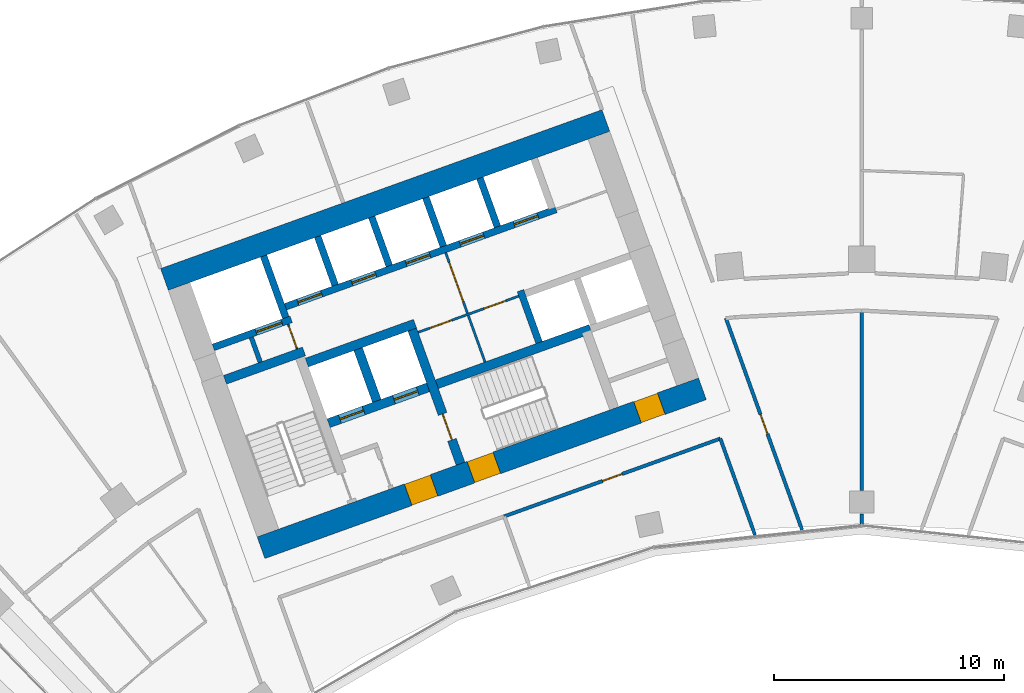
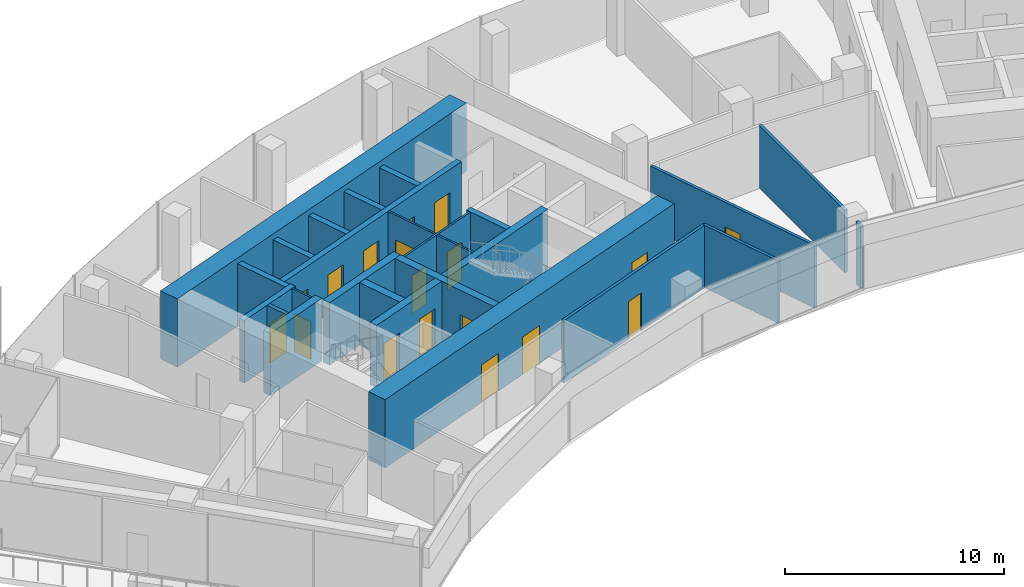
# One storey, part 13 of 20: 24 walls, 18 doors, 18 openings.
"""IFC4 building model written with IfcOpenShell, lengths in metres."""

import ifcopenshell
import ifcopenshell.guid

model = None  # the IFC model being written
_history = None  # IfcOwnerHistory: only IFC2X3 demands one
_inside = {}  # id of a spatial element -> (the spatial element, [elements in it])
_under = {}  # id of a project, library or spatial element -> (it, [spatial elements below it])
_declared = {}  # id of a project -> (the project, [libraries it declares])
_typed = {}  # id of a type object -> (the type object, [elements of that type])
_made_of = {}  # id of a material, layer set ... -> (it, [elements and type objects made of it])


def new_model(schema):
    """Start an empty IFC model of exactly this schema.

    Asked for "IFC4X3", IfcOpenShell would pick the latest addendum, in which some entities
    have other attributes; the version numbers below select the first issue.
    IFC2X3 requires an IfcOwnerHistory on every rooted entity: one is made here for all.
    """
    global model, _history
    if schema == "IFC4X3":
        model = ifcopenshell.file(schema_version=(4, 3, 0, 0))
    else:
        model = ifcopenshell.file(schema=schema)
    _inside.clear()
    _under.clear()
    _declared.clear()
    _typed.clear()
    _made_of.clear()
    _history = None
    if model.schema == "IFC2X3":
        org = make("IfcOrganization", Name="unknown")
        user = make(
            "IfcPersonAndOrganization",
            ThePerson=make("IfcPerson", FamilyName="unknown"),
            TheOrganization=org,
        )
        app = make(
            "IfcApplication",
            ApplicationDeveloper=org,
            Version="unknown",
            ApplicationFullName="unknown",
            ApplicationIdentifier="unknown",
        )
        _history = make(
            "IfcOwnerHistory",
            OwningUser=user,
            OwningApplication=app,
            ChangeAction="ADDED",
            CreationDate=0,
        )
    return model


def make(cls, **values):
    """One entity of the class cls with the attributes given. An attribute that is None is left unset."""
    return model.create_entity(
        cls, **{name: value for name, value in values.items() if value is not None}
    )


def rooted(cls, **values):
    """An entity with a GlobalId (a new one), such as an element, a storey or a relation."""
    return make(cls, GlobalId=ifcopenshell.guid.new(), OwnerHistory=_history, **values)


def si_unit(unit_type, name, prefix=None):
    """IfcSIUnit, for example si_unit("LENGTHUNIT", "METRE", prefix="MILLI")."""
    return make("IfcSIUnit", UnitType=unit_type, Prefix=prefix, Name=name)


def assignment(units):
    """IfcUnitAssignment: the units of a project."""
    return None if units is None else make("IfcUnitAssignment", Units=units)


def point(xyz):
    """IfcCartesianPoint."""
    return None if xyz is None else make("IfcCartesianPoint", Coordinates=xyz)


def direction(xyz):
    """IfcDirection."""
    return None if xyz is None else make("IfcDirection", DirectionRatios=xyz)


def frame(location, z_axis=None, x_axis=None):
    """IfcAxis2Placement3D, a coordinate frame: its origin and axes. An axis left out is left unset."""
    return make(
        "IfcAxis2Placement3D",
        Location=point(location),
        Axis=direction(z_axis),
        RefDirection=direction(x_axis),
    )


def frame_2d(location, x_axis=None):
    """IfcAxis2Placement2D, a coordinate frame in the plane: its origin and x axis."""
    return make(
        "IfcAxis2Placement2D", Location=point(location), RefDirection=direction(x_axis)
    )


def origin():
    """The frame at (0, 0, 0) with its axes left unset."""
    return frame((0.0, 0.0, 0.0))


def place(relative_to, where):
    """IfcLocalPlacement: puts the frame where relative to a parent placement (None: the world)."""
    return make(
        "IfcLocalPlacement", PlacementRelTo=relative_to, RelativePlacement=where
    )


def context(
    kind, dimensions, precision=None, world=None, true_north=None, identifier=None
):
    """IfcGeometricRepresentationContext, for example the 3D "Model" context."""
    return make(
        "IfcGeometricRepresentationContext",
        ContextIdentifier=identifier,
        ContextType=kind,
        CoordinateSpaceDimension=dimensions,
        Precision=precision,
        WorldCoordinateSystem=world,
        TrueNorth=true_north,
    )


def subcontext(parent, identifier, kind, view, scale=None):
    """IfcGeometricRepresentationSubContext, for example "Body" below "Model"."""
    return make(
        "IfcGeometricRepresentationSubContext",
        ContextIdentifier=identifier,
        ContextType=kind,
        ParentContext=parent,
        TargetScale=scale,
        TargetView=view,
    )


def project(units=None, contexts=None):
    """IfcProject with its units and contexts."""
    return rooted(
        "IfcProject",
        Name="project",
        RepresentationContexts=contexts,
        UnitsInContext=assignment(units),
    )


def spatial(cls, under=None, at=None, **own):
    """A site, building, storey or space (cls), placed at a placement, below another one or the project."""
    s = rooted(cls, ObjectPlacement=at, **own)
    if under is not None:
        _under.setdefault(under.id(), (under, []))[1].append(s)
    return s


def profile(cls, at=None, kind="AREA", **sizes):
    """A parametric profile (cls). Its sizes go by their IFC names, for example OverallWidth=200.0."""
    return make(cls, ProfileType=kind, Position=at, **sizes)


def rectangle(**sizes):
    """IfcRectangleProfileDef."""
    return profile("IfcRectangleProfileDef", **sizes)


def extrude(swept, where, along, depth):
    """IfcExtrudedAreaSolid: the profile swept, set in the frame where, extruded along a direction by depth."""
    return make(
        "IfcExtrudedAreaSolid",
        SweptArea=swept,
        Position=where,
        ExtrudedDirection=direction(along),
        Depth=depth,
    )


def shape(context_of_items, identifier, shape_type, items):
    """IfcShapeRepresentation: the items that make up one representation, for example the "Body"."""
    return make(
        "IfcShapeRepresentation",
        ContextOfItems=context_of_items,
        RepresentationIdentifier=identifier,
        RepresentationType=shape_type,
        Items=items,
    )


def material(Name=None, Category=None):
    """IfcMaterial."""
    return make("IfcMaterial", Name=Name, Category=Category)


def layer(
    of_material, thickness, ventilated=None, Name=None, Category=None, Priority=None
):
    """IfcMaterialLayer: one layer of a wall or slab, of a material (None: an air gap)."""
    return make(
        "IfcMaterialLayer",
        Material=of_material,
        LayerThickness=thickness,
        IsVentilated=ventilated,
        Name=Name,
        Category=Category,
        Priority=Priority,
    )


def layer_set(layers, Name=None):
    """IfcMaterialLayerSet."""
    return make("IfcMaterialLayerSet", MaterialLayers=layers, LayerSetName=Name)


def made_of(thing, what):
    """Note that an element or type object is made of a material, layer set ...; save() writes the relation."""
    if what is not None:
        _made_of.setdefault(what.id(), (what, []))[1].append(thing)
    return thing


def type_object(cls, material=None, **own):
    """A type object (cls), such as IfcWallType, which elements share."""
    return made_of(rooted(cls, **own), material)


def element(
    cls,
    number,
    at=None,
    inside=None,
    cuts=None,
    type_object=None,
    material=None,
    context=None,
    identifier="Body",
    shape_type=None,
    held_by="IfcProductDefinitionShape",
    body=None,
    shapes=None,
    **own,
):
    """One element of the class cls, such as IfcWall. Its Tag is "e" and its number.

    at: its placement. inside: the storey or other place that contains it. cuts: it is an
    opening in that element (IfcRelVoidsElement). A single representation is given by context,
    identifier, shape_type and body (its items); several are given by shapes. held_by: the class
    of the entity that holds the representations. save() writes the other relations.
    """
    e = rooted(cls, Tag="e%d" % number, ObjectPlacement=at, **own)
    if body is not None:
        shapes = [shape(context, identifier, shape_type, body)]
    if shapes is not None:
        e.Representation = make(held_by, Representations=shapes)
    if inside is not None:
        _inside.setdefault(inside.id(), (inside, []))[1].append(e)
    if cuts is not None:
        rooted(
            "IfcRelVoidsElement", RelatingBuildingElement=cuts, RelatedOpeningElement=e
        )
    if type_object is not None:
        _typed.setdefault(type_object.id(), (type_object, []))[1].append(e)
    return made_of(e, material)


def fill(opening, filler):
    """IfcRelFillsElement: the door or window that sits in an opening."""
    return rooted(
        "IfcRelFillsElement",
        RelatingOpeningElement=opening,
        RelatedBuildingElement=filler,
    )


def aggregate(whole, parts):
    """IfcRelAggregates: a whole, such as a stair, and the parts it consists of."""
    return rooted("IfcRelAggregates", RelatingObject=whole, RelatedObjects=parts)


def save(model, path):
    """Write the relations noted so far, then the file.

    IfcRelAggregates (storeys below a building ...), IfcRelContainedInSpatialStructure (elements
    in a storey), IfcRelDefinesByType, IfcRelAssociatesMaterial and IfcRelDeclares: one each for
    every whole, place, type object, material and project.
    """
    for whole, parts in _under.values():
        aggregate(whole, parts)
    for where, things in _inside.values():
        rooted(
            "IfcRelContainedInSpatialStructure",
            RelatedElements=things,
            RelatingStructure=where,
        )
    for kind, things in _typed.values():
        rooted("IfcRelDefinesByType", RelatedObjects=things, RelatingType=kind)
    for what, things in _made_of.values():
        rooted("IfcRelAssociatesMaterial", RelatedObjects=things, RelatingMaterial=what)
    for by, libraries in _declared.values():
        rooted("IfcRelDeclares", RelatingContext=by, RelatedDefinitions=libraries)
    model.write(path)


model = new_model("IFC4")

# Units and contexts
model_context = context("Model", 3, precision=1e-05, world=origin(), true_north=direction((0.0, 1.0)))
body_context = subcontext(model_context, "Body", "Model", "MODEL_VIEW")
ifc_project = project(units=[si_unit("LENGTHUNIT", "METRE"), si_unit("AREAUNIT", "SQUARE_METRE"), si_unit("VOLUMEUNIT", "CUBIC_METRE"), si_unit("PLANEANGLEUNIT", "RADIAN"), si_unit("MASSUNIT", "GRAM", prefix="KILO")], contexts=[model_context])

# Site, building, storey
site_placement = place(None, origin())
site = spatial("IfcSite", under=ifc_project, at=site_placement, CompositionType="ELEMENT")
building_placement = place(site_placement, origin())
building = spatial("IfcBuilding", under=site, at=building_placement, Name="Stone Belt Terrace Tower", CompositionType="ELEMENT")
storey_placement = place(building_placement, frame((0.0, 0.0, 216.199951171875)))
storey = spatial("IfcBuildingStorey", under=building, at=storey_placement, Name="L52", CompositionType="ELEMENT", Elevation=216.199951171875)

# Wall, opening, door
ifc_material_1 = material(Name="Plasterboard partition")
ifc_layer_1 = layer(ifc_material_1, 0.10009765625)
ifc_layer_set_1 = layer_set([ifc_layer_1], Name="Core partition 100")
wall_type_1 = type_object("IfcWallType", Name="Core partition 100", PredefinedType="PARTITIONING", material=ifc_layer_set_1)
wall_1_placement = place(storey_placement, frame((-24.555908203125, 51.10400390625, 0.0), z_axis=(0.0, 0.0, 1.0), x_axis=(-0.338621735342, 0.94092258999, 0.0)))
wall_1 = element("IfcWall", 1, at=wall_1_placement, inside=storey, type_object=wall_type_1, Name="Core A wall", PredefinedType="PARTITIONING", context=body_context, shape_type="SweptSolid", body=[
    extrude(rectangle(XDim=1.14990234375, YDim=0.10009765625, at=frame_2d((0.574951171875, 0.0))), origin(), (0.0, 0.0, 1.0), 3.47998046875),
])
opening_1_placement = place(wall_1_placement, frame((0.050048828125, 0.0, 0.0)))
opening_1 = element("IfcOpeningElement", 2, at=opening_1_placement, cuts=wall_1, Name="Opening L52-C05", PredefinedType="OPENING", context=body_context, shape_type="SweptSolid", body=[
    extrude(rectangle(XDim=1.0, YDim=2.10009765625, at=frame_2d((0.5, 1.050048828125))), frame((0.0, 0.06005859375, 0.0), z_axis=(0.0, -1.0, 0.0), x_axis=(1.0, 0.0, 0.0)), (0.0, 0.0, 1.0), 0.1201171875),
])
ifc_material_2 = material(Name="Timber door leaf", Category="wood")
door_type_1 = type_object("IfcDoorType", Name="Core room door 1000", OperationType="SINGLE_SWING_LEFT", PredefinedType="DOOR", material=ifc_material_2)
door_1_placement = place(opening_1_placement, origin())
door_1 = element("IfcDoor", 3, at=door_1_placement, inside=storey, type_object=door_type_1, Name="Service lift lobby door core A", OperationType="SINGLE_SWING_RIGHT", OverallHeight=2.10009765625, OverallWidth=1.0, PredefinedType="DOOR", context=body_context, shape_type="SweptSolid", body=[
    extrude(rectangle(XDim=1.0, YDim=2.10009765625, at=frame_2d((0.5, 1.050048828125))), frame((0.0, 0.02490234375, 0.0), z_axis=(0.0, -1.0, 0.0), x_axis=(1.0, 0.0, 0.0)), (0.0, 0.0, 1.0), 0.050048828125),
])
fill(opening_1, door_1)

# Wall, openings, doors
wall_2_placement = place(storey_placement, frame((-19.29052734375, 51.829833984375, 0.0), z_axis=(0.0, 0.0, 1.0), x_axis=(0.940930240745, 0.338600475563, 0.0)))
wall_2 = element("IfcWall", 4, at=wall_2_placement, inside=storey, type_object=wall_type_1, Name="Core A wall", PredefinedType="PARTITIONING", context=body_context, shape_type="SweptSolid", body=[
    extrude(rectangle(XDim=4.64990234375, YDim=0.10009765625, at=frame_2d((2.324951171875, 0.0))), origin(), (0.0, 0.0, 1.0), 3.47998046875),
])
opening_2_placement = place(wall_2_placement, frame((0.550048828125, 0.0, 0.0)))
opening_2 = element("IfcOpeningElement", 5, at=opening_2_placement, cuts=wall_2, Name="Opening L52-C02", PredefinedType="OPENING", context=body_context, shape_type="SweptSolid", body=[
    extrude(rectangle(XDim=1.0, YDim=2.10009765625, at=frame_2d((0.5, 1.050048828125))), frame((0.0, 0.06005859375, 0.0), z_axis=(0.0, -1.0, 0.0), x_axis=(1.0, 0.0, 0.0)), (0.0, 0.0, 1.0), 0.1201171875),
])
opening_3_placement = place(wall_2_placement, frame((3.050048828125, 0.0, 0.0)))
opening_3 = element("IfcOpeningElement", 6, at=opening_3_placement, cuts=wall_2, Name="Opening L52-C03", PredefinedType="OPENING", context=body_context, shape_type="SweptSolid", body=[
    extrude(rectangle(XDim=1.0, YDim=2.10009765625, at=frame_2d((0.5, 1.050048828125))), frame((0.0, 0.06005859375, 0.0), z_axis=(0.0, -1.0, 0.0), x_axis=(1.0, 0.0, 0.0)), (0.0, 0.0, 1.0), 0.1201171875),
])
door_2_placement = place(opening_2_placement, origin())
door_2 = element("IfcDoor", 7, at=door_2_placement, inside=storey, type_object=door_type_1, Name="Door to Archive store core A", OperationType="SINGLE_SWING_RIGHT", OverallHeight=2.10009765625, OverallWidth=1.0, PredefinedType="DOOR", context=body_context, shape_type="SweptSolid", body=[
    extrude(rectangle(XDim=1.0, YDim=2.10009765625, at=frame_2d((0.5, 1.050048828125))), frame((0.0, 0.02490234375, 0.0), z_axis=(0.0, -1.0, 0.0), x_axis=(1.0, 0.0, 0.0)), (0.0, 0.0, 1.0), 0.050048828125),
])
fill(opening_2, door_2)
door_3_placement = place(opening_3_placement, origin())
door_3 = element("IfcDoor", 8, at=door_3_placement, inside=storey, type_object=door_type_1, Name="Door to IT equipment room core A", OperationType="SINGLE_SWING_LEFT", OverallHeight=2.10009765625, OverallWidth=1.0, PredefinedType="DOOR", context=body_context, shape_type="SweptSolid", body=[
    extrude(rectangle(XDim=1.0, YDim=2.10009765625, at=frame_2d((0.5, 1.050048828125))), frame((0.0, 0.02490234375, 0.0), z_axis=(0.0, -1.0, 0.0), x_axis=(1.0, 0.0, 0.0)), (0.0, 0.0, 1.0), 0.050048828125),
])
fill(opening_3, door_3)

# Wall, opening, door
wall_3_placement = place(storey_placement, frame((-16.38134765625, 50.53857421875, 0.0), z_axis=(0.0, 0.0, 1.0), x_axis=(-0.33860476744, 0.940928696271, 0.0)))
wall_3 = element("IfcWall", 9, at=wall_3_placement, inside=storey, type_object=wall_type_1, Name="Core A wall", PredefinedType="PARTITIONING", context=body_context, shape_type="SweptSolid", body=[
    extrude(rectangle(XDim=5.050048828125, YDim=0.10009765625, at=frame_2d((2.52490234375, 0.0))), origin(), (0.0, 0.0, 1.0), 3.47998046875),
])
opening_4_placement = place(wall_3_placement, frame((2.800048828125, 0.0, 0.0)))
opening_4 = element("IfcOpeningElement", 10, at=opening_4_placement, cuts=wall_3, Name="Opening L52-C06", PredefinedType="OPENING", context=body_context, shape_type="SweptSolid", body=[
    extrude(rectangle(XDim=1.800048828125, YDim=2.10009765625, at=frame_2d((0.89990234375, 1.050048828125))), frame((0.0, 0.06005859375, 0.0), z_axis=(0.0, -1.0, 0.0), x_axis=(1.0, 0.0, 0.0)), (0.0, 0.0, 1.0), 0.1201171875),
])
ifc_material_3 = material(Name="Glazed aluminium door leaf", Category="aluminium")
door_type_2 = type_object("IfcDoorType", Name="Lift lobby entrance door 1800", OperationType="DOUBLE_DOOR_SINGLE_SWING", PredefinedType="DOOR", material=ifc_material_3)
door_4_placement = place(opening_4_placement, origin())
door_4 = element("IfcDoor", 11, at=door_4_placement, inside=storey, type_object=door_type_2, Name="Lift lobby double door core A", OperationType="DOUBLE_DOOR_SINGLE_SWING", OverallHeight=2.10009765625, OverallWidth=1.800048828125, PredefinedType="DOOR", context=body_context, shape_type="SweptSolid", body=[
    extrude(rectangle(XDim=1.800048828125, YDim=2.10009765625, at=frame_2d((0.89990234375, 1.050048828125))), frame((0.0, 0.02490234375, 0.0), z_axis=(0.0, -1.0, 0.0), x_axis=(1.0, 0.0, 0.0)), (0.0, 0.0, 1.0), 0.050048828125),
])
fill(opening_4, door_4)

# Wall, openings, doors
ifc_material_4 = material(Name="Concrete B60", Category="concrete")
ifc_layer_2 = layer(ifc_material_4, 1.0)
ifc_layer_set_2 = layer_set([ifc_layer_2], Name="Core wall 1000 B60")
wall_type_2 = type_object("IfcWallType", Name="Core wall 1000 B60", PredefinedType="SHEAR", material=ifc_layer_set_2)
wall_4_placement = place(storey_placement, frame((-26.122314453125, 42.462890625, 0.0), z_axis=(0.0, 0.0, 1.0), x_axis=(0.940921428504, 0.338624962727, 0.0)))
wall_4 = element("IfcWall", 12, at=wall_4_placement, inside=storey, type_object=wall_type_2, Name="Core A wall concave L52", PredefinedType="SHEAR", context=body_context, shape_type="SweptSolid", body=[
    extrude(rectangle(XDim=20.400146484375, YDim=1.0, at=frame_2d((10.2001953125, 0.0))), origin(), (0.0, 0.0, 1.0), 3.800048828125),
])
opening_5_placement = place(wall_4_placement, frame((6.800048828125, 0.0, 0.0)))
opening_5 = element("IfcOpeningElement", 13, at=opening_5_placement, cuts=wall_4, Name="Opening L52-C10", PredefinedType="OPENING", context=body_context, shape_type="SweptSolid", body=[
    extrude(rectangle(XDim=1.199951171875, YDim=2.10009765625, at=frame_2d((0.60009765625, 1.050048828125))), frame((0.0, 0.510009765625, 0.0), z_axis=(0.0, -1.0, 0.0), x_axis=(1.0, 0.0, 0.0)), (0.0, 0.0, 1.0), 1.02001953125),
])
opening_6_placement = place(wall_4_placement, frame((9.699951171875, 0.0, 0.0)))
opening_6 = element("IfcOpeningElement", 14, at=opening_6_placement, cuts=wall_4, Name="Opening L52-C12", PredefinedType="OPENING", context=body_context, shape_type="SweptSolid", body=[
    extrude(rectangle(XDim=1.199951171875, YDim=2.10009765625, at=frame_2d((0.60009765625, 1.050048828125))), frame((0.0, 0.510009765625, 0.0), z_axis=(0.0, -1.0, 0.0), x_axis=(1.0, 0.0, 0.0)), (0.0, 0.0, 1.0), 1.02001953125),
])
opening_7_placement = place(wall_4_placement, frame((17.400146484375, 0.0, 0.0)))
opening_7 = element("IfcOpeningElement", 15, at=opening_7_placement, cuts=wall_4, Name="Opening L52-C14", PredefinedType="OPENING", context=body_context, shape_type="SweptSolid", body=[
    extrude(rectangle(XDim=1.10009765625, YDim=2.10009765625, at=frame_2d((0.550048828125, 1.050048828125))), frame((0.0, 0.510009765625, 0.0), z_axis=(0.0, -1.0, 0.0), x_axis=(1.0, 0.0, 0.0)), (0.0, 0.0, 1.0), 1.02001953125),
])
door_type_3 = type_object("IfcDoorType", Name="Core room door 1100", OperationType="SINGLE_SWING_LEFT", PredefinedType="DOOR", material=ifc_material_2)
door_5_placement = place(opening_7_placement, origin())
door_5 = element("IfcDoor", 16, at=door_5_placement, inside=storey, type_object=door_type_3, Name="Door to Pipe riser core A", OperationType="SINGLE_SWING_RIGHT", OverallHeight=2.10009765625, OverallWidth=1.10009765625, PredefinedType="DOOR", context=body_context, shape_type="SweptSolid", body=[
    extrude(rectangle(XDim=1.10009765625, YDim=2.10009765625, at=frame_2d((0.550048828125, 1.050048828125))), frame((0.0, 0.47998046875, 0.0), z_axis=(0.0, -1.0, 0.0), x_axis=(1.0, 0.0, 0.0)), (0.0, 0.0, 1.0), 0.9599609375),
])
fill(opening_7, door_5)
ifc_material_5 = material(Name="Steel door leaf", Category="steel")
door_type_4 = type_object("IfcDoorType", Name="Fire-fighting lobby door 1200", OperationType="SINGLE_SWING_LEFT", PredefinedType="DOOR", material=ifc_material_5)
door_6_placement = place(opening_5_placement, origin())
door_6 = element("IfcDoor", 17, at=door_6_placement, inside=storey, type_object=door_type_4, Name="Fire-fighting lobby door core A", OperationType="SINGLE_SWING_RIGHT", OverallHeight=2.10009765625, OverallWidth=1.199951171875, PredefinedType="DOOR", context=body_context, shape_type="SweptSolid", body=[
    extrude(rectangle(XDim=1.199951171875, YDim=2.10009765625, at=frame_2d((0.60009765625, 1.050048828125))), frame((0.0, 0.47998046875, 0.0), z_axis=(0.0, -1.0, 0.0), x_axis=(1.0, 0.0, 0.0)), (0.0, 0.0, 1.0), 0.9599609375),
])
fill(opening_5, door_6)
door_type_5 = type_object("IfcDoorType", Name="Stair door 1200", OperationType="SINGLE_SWING_LEFT", PredefinedType="DOOR", material=ifc_material_5)
door_7_placement = place(opening_6_placement, origin())
door_7 = element("IfcDoor", 18, at=door_7_placement, inside=storey, type_object=door_type_5, Name="Stair 2 exit door core A", OperationType="SINGLE_SWING_LEFT", OverallHeight=2.10009765625, OverallWidth=1.199951171875, PredefinedType="DOOR", context=body_context, shape_type="SweptSolid", body=[
    extrude(rectangle(XDim=1.199951171875, YDim=2.10009765625, at=frame_2d((0.60009765625, 1.050048828125))), frame((0.0, 0.47998046875, 0.0), z_axis=(0.0, -1.0, 0.0), x_axis=(1.0, 0.0, 0.0)), (0.0, 0.0, 1.0), 0.9599609375),
])
fill(opening_6, door_7)

# Walls
wall_5_placement = place(storey_placement, frame((-30.3212890625, 54.13037109375, 0.0), z_axis=(0.0, 0.0, 1.0), x_axis=(0.940921428504, 0.338624962727, 0.0)))
element("IfcWall", 19, at=wall_5_placement, inside=storey, type_object=wall_type_2, Name="Core A wall convex L52", PredefinedType="SHEAR", context=body_context, shape_type="SweptSolid", body=[
    extrude(rectangle(XDim=20.400146484375, YDim=1.0, at=frame_2d((10.2001953125, 0.0))), origin(), (0.0, 0.0, 1.0), 3.800048828125),
])
ifc_material_6 = material(Name="Concrete B80", Category="concrete")
ifc_layer_3 = layer(ifc_material_6, 0.39990234375)
ifc_layer_set_3 = layer_set([ifc_layer_3], Name="Fire-fighting lift shaft wall 400")
wall_type_3 = type_object("IfcWallType", Name="Fire-fighting lift shaft wall 400", PredefinedType="SHEAR", material=ifc_layer_set_3)
wall_6_placement = place(storey_placement, frame((-24.130615234375, 50.512939453125, 0.0), z_axis=(0.0, 0.0, 1.0), x_axis=(0.94091168377, 0.338652038744, 0.0)))
element("IfcWall", 20, at=wall_6_placement, inside=storey, type_object=wall_type_3, Name="Core A wall", PredefinedType="SHEAR", context=body_context, shape_type="SweptSolid", body=[
    extrude(rectangle(XDim=5.000244140625, YDim=0.39990234375, at=frame_2d((2.5, 0.0))), origin(), (0.0, 0.0, 1.0), 3.47998046875),
])
wall_7_placement = place(storey_placement, frame((-21.0859375, 48.845458984375, 0.0), z_axis=(0.0, 0.0, 1.0), x_axis=(-0.338629416206, 0.940919825745, 0.0)))
element("IfcWall", 21, at=wall_7_placement, inside=storey, type_object=wall_type_3, Name="Core A wall", PredefinedType="SHEAR", context=body_context, shape_type="SweptSolid", body=[
    extrude(rectangle(XDim=2.400146484375, YDim=0.39990234375, at=frame_2d((1.2001953125, 0.0))), origin(), (0.0, 0.0, 1.0), 3.47998046875),
])

# Wall, opening, door
ifc_layer_4 = layer(ifc_material_6, 0.300048828125)
ifc_layer_set_4 = layer_set([ifc_layer_4], Name="Lift shaft wall 300")
wall_type_4 = type_object("IfcWallType", Name="Lift shaft wall 300", PredefinedType="SHEAR", material=ifc_layer_set_4)
wall_8_placement = place(storey_placement, frame((-28.195068359375, 51.17578125, 0.0), z_axis=(0.0, 0.0, 1.0), x_axis=(0.940901243567, 0.338681044427, 0.0)))
wall_8 = element("IfcWall", 22, at=wall_8_placement, inside=storey, type_object=wall_type_4, Name="Core A wall", PredefinedType="SHEAR", context=body_context, shape_type="SweptSolid", body=[
    extrude(rectangle(XDim=3.599853515625, YDim=0.300048828125, at=frame_2d((1.7998046875, 0.0))), origin(), (0.0, 0.0, 1.0), 3.47998046875),
])
opening_8_placement = place(wall_8_placement, frame((1.969970703125, 0.0, 0.0)))
opening_8 = element("IfcOpeningElement", 23, at=opening_8_placement, cuts=wall_8, Name="Opening L52-LD08", PredefinedType="OPENING", context=body_context, shape_type="SweptSolid", body=[
    extrude(rectangle(XDim=1.199951171875, YDim=2.199951171875, at=frame_2d((0.60009765625, 1.10009765625))), frame((0.0, 0.159912109375, 0.0), z_axis=(0.0, -1.0, 0.0), x_axis=(1.0, 0.0, 0.0)), (0.0, 0.0, 1.0), 0.320068359375),
])
ifc_material_7 = material(Name="Stainless steel door leaf", Category="steel")
door_type_6 = type_object("IfcDoorType", Name="Landing door 1200", OperationType="SLIDING_TO_LEFT", PredefinedType="DOOR", material=ifc_material_7)
door_8_placement = place(opening_8_placement, origin())
door_8 = element("IfcDoor", 24, at=door_8_placement, inside=storey, type_object=door_type_6, Name="Landing door SV1 core A", OperationType="SLIDING_TO_LEFT", OverallHeight=2.199951171875, OverallWidth=1.199951171875, PredefinedType="DOOR", context=body_context, shape_type="SweptSolid", body=[
    extrude(rectangle(XDim=1.199951171875, YDim=2.199951171875, at=frame_2d((0.60009765625, 1.10009765625))), frame((0.0, 0.02490234375, 0.0), z_axis=(0.0, -1.0, 0.0), x_axis=(1.0, 0.0, 0.0)), (0.0, 0.0, 1.0), 0.050048828125),
])
fill(opening_8, door_8)

# Wall
wall_9_placement = place(storey_placement, frame((-25.046875, 52.46826171875, 0.0), z_axis=(0.0, 0.0, 1.0), x_axis=(-0.338549588058, 0.940948551423, 0.0)))
element("IfcWall", 25, at=wall_9_placement, inside=storey, type_object=wall_type_4, Name="Core A wall", PredefinedType="SHEAR", context=body_context, shape_type="SweptSolid", body=[
    extrude(rectangle(XDim=2.849853515625, YDim=0.300048828125, at=frame_2d((1.4248046875, 0.0))), origin(), (0.0, 0.0, 1.0), 3.47998046875),
])

# Wall, openings, doors
wall_10_placement = place(storey_placement, frame((-25.05810546875, 52.9423828125, 0.0), z_axis=(0.0, 0.0, 1.0), x_axis=(0.940920770291, 0.338626791666, 0.0)))
wall_10 = element("IfcWall", 26, at=wall_10_placement, inside=storey, type_object=wall_type_4, Name="Core A wall", PredefinedType="SHEAR", context=body_context, shape_type="SweptSolid", body=[
    extrude(rectangle(XDim=12.500244140625, YDim=0.300048828125, at=frame_2d((6.25, 0.0))), origin(), (0.0, 0.0, 1.0), 3.47998046875),
])
opening_9_placement = place(wall_10_placement, frame((0.570068359375, 0.0, 0.0)))
opening_9 = element("IfcOpeningElement", 27, at=opening_9_placement, cuts=wall_10, Name="Opening L52-LD01", PredefinedType="OPENING", context=body_context, shape_type="SweptSolid", body=[
    extrude(rectangle(XDim=1.10009765625, YDim=2.199951171875, at=frame_2d((0.550048828125, 1.10009765625))), frame((0.0, 0.159912109375, 0.0), z_axis=(0.0, -1.0, 0.0), x_axis=(1.0, 0.0, 0.0)), (0.0, 0.0, 1.0), 0.320068359375),
])
opening_10_placement = place(wall_10_placement, frame((3.070068359375, 0.0, 0.0)))
opening_10 = element("IfcOpeningElement", 28, at=opening_10_placement, cuts=wall_10, Name="Opening L52-LD02", PredefinedType="OPENING", context=body_context, shape_type="SweptSolid", body=[
    extrude(rectangle(XDim=1.10009765625, YDim=2.199951171875, at=frame_2d((0.550048828125, 1.10009765625))), frame((0.0, 0.159912109375, 0.0), z_axis=(0.0, -1.0, 0.0), x_axis=(1.0, 0.0, 0.0)), (0.0, 0.0, 1.0), 0.320068359375),
])
opening_11_placement = place(wall_10_placement, frame((5.570068359375, 0.0, 0.0)))
opening_11 = element("IfcOpeningElement", 29, at=opening_11_placement, cuts=wall_10, Name="Opening L52-LD03", PredefinedType="OPENING", context=body_context, shape_type="SweptSolid", body=[
    extrude(rectangle(XDim=1.10009765625, YDim=2.199951171875, at=frame_2d((0.550048828125, 1.10009765625))), frame((0.0, 0.159912109375, 0.0), z_axis=(0.0, -1.0, 0.0), x_axis=(1.0, 0.0, 0.0)), (0.0, 0.0, 1.0), 0.320068359375),
])
opening_12_placement = place(wall_10_placement, frame((8.070068359375, 0.0, 0.0)))
opening_12 = element("IfcOpeningElement", 30, at=opening_12_placement, cuts=wall_10, Name="Opening L52-LD04", PredefinedType="OPENING", context=body_context, shape_type="SweptSolid", body=[
    extrude(rectangle(XDim=1.10009765625, YDim=2.199951171875, at=frame_2d((0.550048828125, 1.10009765625))), frame((0.0, 0.159912109375, 0.0), z_axis=(0.0, -1.0, 0.0), x_axis=(1.0, 0.0, 0.0)), (0.0, 0.0, 1.0), 0.320068359375),
])
opening_13_placement = place(wall_10_placement, frame((10.570068359375, 0.0, 0.0)))
opening_13 = element("IfcOpeningElement", 31, at=opening_13_placement, cuts=wall_10, Name="Opening L52-LD05", PredefinedType="OPENING", context=body_context, shape_type="SweptSolid", body=[
    extrude(rectangle(XDim=1.10009765625, YDim=2.199951171875, at=frame_2d((0.550048828125, 1.10009765625))), frame((0.0, 0.159912109375, 0.0), z_axis=(0.0, -1.0, 0.0), x_axis=(1.0, 0.0, 0.0)), (0.0, 0.0, 1.0), 0.320068359375),
])
door_type_7 = type_object("IfcDoorType", Name="Landing door 1100", OperationType="SLIDING_TO_LEFT", PredefinedType="DOOR", material=ifc_material_7)
door_9_placement = place(opening_9_placement, origin())
door_9 = element("IfcDoor", 32, at=door_9_placement, inside=storey, type_object=door_type_7, Name="Landing door MR1 core A", OperationType="SLIDING_TO_LEFT", OverallHeight=2.199951171875, OverallWidth=1.10009765625, PredefinedType="DOOR", context=body_context, shape_type="SweptSolid", body=[
    extrude(rectangle(XDim=1.10009765625, YDim=2.199951171875, at=frame_2d((0.550048828125, 1.10009765625))), frame((0.0, 0.02490234375, 0.0), z_axis=(0.0, -1.0, 0.0), x_axis=(1.0, 0.0, 0.0)), (0.0, 0.0, 1.0), 0.050048828125),
])
fill(opening_9, door_9)
door_10_placement = place(opening_10_placement, origin())
door_10 = element("IfcDoor", 33, at=door_10_placement, inside=storey, type_object=door_type_7, Name="Landing door MR2 core A", OperationType="SLIDING_TO_LEFT", OverallHeight=2.199951171875, OverallWidth=1.10009765625, PredefinedType="DOOR", context=body_context, shape_type="SweptSolid", body=[
    extrude(rectangle(XDim=1.10009765625, YDim=2.199951171875, at=frame_2d((0.550048828125, 1.10009765625))), frame((0.0, 0.02490234375, 0.0), z_axis=(0.0, -1.0, 0.0), x_axis=(1.0, 0.0, 0.0)), (0.0, 0.0, 1.0), 0.050048828125),
])
fill(opening_10, door_10)
door_11_placement = place(opening_11_placement, origin())
door_11 = element("IfcDoor", 34, at=door_11_placement, inside=storey, type_object=door_type_7, Name="Landing door MR3 core A", OperationType="SLIDING_TO_LEFT", OverallHeight=2.199951171875, OverallWidth=1.10009765625, PredefinedType="DOOR", context=body_context, shape_type="SweptSolid", body=[
    extrude(rectangle(XDim=1.10009765625, YDim=2.199951171875, at=frame_2d((0.550048828125, 1.10009765625))), frame((0.0, 0.02490234375, 0.0), z_axis=(0.0, -1.0, 0.0), x_axis=(1.0, 0.0, 0.0)), (0.0, 0.0, 1.0), 0.050048828125),
])
fill(opening_11, door_11)
door_12_placement = place(opening_12_placement, origin())
door_12 = element("IfcDoor", 35, at=door_12_placement, inside=storey, type_object=door_type_7, Name="Landing door MR4 core A", OperationType="SLIDING_TO_LEFT", OverallHeight=2.199951171875, OverallWidth=1.10009765625, PredefinedType="DOOR", context=body_context, shape_type="SweptSolid", body=[
    extrude(rectangle(XDim=1.10009765625, YDim=2.199951171875, at=frame_2d((0.550048828125, 1.10009765625))), frame((0.0, 0.02490234375, 0.0), z_axis=(0.0, -1.0, 0.0), x_axis=(1.0, 0.0, 0.0)), (0.0, 0.0, 1.0), 0.050048828125),
])
fill(opening_12, door_12)
door_13_placement = place(opening_13_placement, origin())
door_13 = element("IfcDoor", 36, at=door_13_placement, inside=storey, type_object=door_type_7, Name="Landing door MR5 core A", OperationType="SLIDING_TO_LEFT", OverallHeight=2.199951171875, OverallWidth=1.10009765625, PredefinedType="DOOR", context=body_context, shape_type="SweptSolid", body=[
    extrude(rectangle(XDim=1.10009765625, YDim=2.199951171875, at=frame_2d((0.550048828125, 1.10009765625))), frame((0.0, 0.02490234375, 0.0), z_axis=(0.0, -1.0, 0.0), x_axis=(1.0, 0.0, 0.0)), (0.0, 0.0, 1.0), 0.050048828125),
])
fill(opening_13, door_13)

# Walls
wall_11_placement = place(storey_placement, frame((-22.897705078125, 53.87939453125, 0.0), z_axis=(0.0, 0.0, 1.0), x_axis=(-0.338535034312, 0.940953787677, 0.0)))
element("IfcWall", 37, at=wall_11_placement, inside=storey, type_object=wall_type_4, Name="Core A wall", PredefinedType="SHEAR", context=body_context, shape_type="SweptSolid", body=[
    extrude(rectangle(XDim=2.25, YDim=0.300048828125, at=frame_2d((1.125, 0.0))), origin(), (0.0, 0.0, 1.0), 3.47998046875),
])
wall_12_placement = place(storey_placement, frame((-20.54541015625, 54.72607421875, 0.0), z_axis=(0.0, 0.0, 1.0), x_axis=(-0.338569601369, 0.940941350472, 0.0)))
element("IfcWall", 38, at=wall_12_placement, inside=storey, type_object=wall_type_4, Name="Core A wall", PredefinedType="SHEAR", context=body_context, shape_type="SweptSolid", body=[
    extrude(rectangle(XDim=2.249755859375, YDim=0.300048828125, at=frame_2d((1.125, 0.0))), origin(), (0.0, 0.0, 1.0), 3.47998046875),
])
wall_13_placement = place(storey_placement, frame((-18.193115234375, 55.572509765625, 0.0), z_axis=(0.0, 0.0, 1.0), x_axis=(-0.338535034312, 0.940953787677, 0.0)))
element("IfcWall", 39, at=wall_13_placement, inside=storey, type_object=wall_type_4, Name="Core A wall", PredefinedType="SHEAR", context=body_context, shape_type="SweptSolid", body=[
    extrude(rectangle(XDim=2.25, YDim=0.300048828125, at=frame_2d((1.125, 0.0))), origin(), (0.0, 0.0, 1.0), 3.47998046875),
])
wall_14_placement = place(storey_placement, frame((-14.029052734375, 51.38525390625, 0.0), z_axis=(0.0, 0.0, 1.0), x_axis=(-0.338661829791, 0.940908159728, 0.0)))
element("IfcWall", 40, at=wall_14_placement, inside=storey, type_object=wall_type_4, Name="Core A wall", PredefinedType="SHEAR", context=body_context, shape_type="SweptSolid", body=[
    extrude(rectangle(XDim=2.39990234375, YDim=0.300048828125, at=frame_2d((1.199951171875, 0.0))), origin(), (0.0, 0.0, 1.0), 3.47998046875),
])
wall_15_placement = place(storey_placement, frame((-15.8408203125, 56.419189453125, 0.0), z_axis=(0.0, 0.0, 1.0), x_axis=(-0.338569601369, 0.940941350472, 0.0)))
element("IfcWall", 41, at=wall_15_placement, inside=storey, type_object=wall_type_4, Name="Core A wall", PredefinedType="SHEAR", context=body_context, shape_type="SweptSolid", body=[
    extrude(rectangle(XDim=2.249755859375, YDim=0.300048828125, at=frame_2d((1.125, 0.0))), origin(), (0.0, 0.0, 1.0), 3.47998046875),
])
ifc_material_8 = material(Name="Gypsum board partition")
ifc_layer_5 = layer(ifc_material_8, 0.14990234375)
ifc_layer_set_5 = layer_set([ifc_layer_5], Name="PARTITION 150 EI 60")
wall_type_5 = type_object("IfcWallType", Name="PARTITION 150 EI 60", PredefinedType="PARTITIONING", material=ifc_layer_set_5)
wall_16_placement = place(storey_placement, frame((-4.638427734375, 43.012451171875, 0.0), z_axis=(0.0, 0.0, 1.0), x_axis=(-0.338583902482, 0.940936204522, 0.0)))
element("IfcWall", 42, at=wall_16_placement, inside=storey, type_object=wall_type_5, Name="L52/wall/i007", PredefinedType="PARTITIONING", context=body_context, shape_type="SweptSolid", body=[
    extrude(rectangle(XDim=4.464111328125, YDim=0.14990234375, at=frame_2d((2.23193359375, 0.0))), origin(), (0.0, 0.0, 1.0), 3.47998046875),
])

# Wall, opening, door
wall_17_placement = place(storey_placement, frame((-5.906005859375, 52.44091796875, 0.0), z_axis=(0.0, 0.0, 1.0), x_axis=(0.33864618549, -0.940913790447, 0.0)))
wall_17 = element("IfcWall", 43, at=wall_17_placement, inside=storey, type_object=wall_type_5, Name="L52/wall/i009", PredefinedType="PARTITIONING", context=body_context, shape_type="SweptSolid", body=[
    extrude(rectangle(XDim=9.791748046875, YDim=0.14990234375, at=frame_2d((4.89599609375, 0.0))), origin(), (0.0, 0.0, 1.0), 3.47998046875),
])
opening_14_placement = place(wall_17_placement, frame((4.44580078125, 0.0, 0.0)))
opening_14 = element("IfcOpeningElement", 44, at=opening_14_placement, cuts=wall_17, Name="Opening D-D3-23", PredefinedType="OPENING", context=body_context, shape_type="SweptSolid", body=[
    extrude(rectangle(XDim=0.89990234375, YDim=2.10009765625, at=frame_2d((0.449951171875, 1.050048828125))), frame((0.0, 0.0849609375, 0.0), z_axis=(0.0, -1.0, 0.0), x_axis=(1.0, 0.0, 0.0)), (0.0, 0.0, 1.0), 0.169921875),
])
door_type_8 = type_object("IfcDoorType", Name="OFFICE DOOR 900 X 2100", OperationType="NOTDEFINED", PredefinedType="DOOR", material=ifc_material_2)
door_14_placement = place(opening_14_placement, origin())
door_14 = element("IfcDoor", 45, at=door_14_placement, inside=storey, type_object=door_type_8, Name="L52/door/i23", OperationType="SINGLE_SWING_RIGHT", OverallHeight=2.10009765625, OverallWidth=0.89990234375, PredefinedType="DOOR", context=body_context, shape_type="SweptSolid", body=[
    extrude(rectangle(XDim=0.89990234375, YDim=2.10009765625, at=frame_2d((0.449951171875, 1.050048828125))), frame((0.0, 0.02490234375, 0.0), z_axis=(0.0, -1.0, 0.0), x_axis=(1.0, 0.0, 0.0)), (0.0, 0.0, 1.0), 0.050048828125),
])
fill(opening_14, door_14)

wall_18_placement = place(storey_placement, frame((-6.14892578125, 47.20703125, 0.0), z_axis=(0.0, 0.0, 1.0), x_axis=(-0.940919183473, -0.338631200826, 0.0)))
wall_18 = element("IfcWall", 46, at=wall_18_placement, inside=storey, type_object=wall_type_5, Name="L52/wall/i013", PredefinedType="PARTITIONING", context=body_context, shape_type="SweptSolid", body=[
    extrude(rectangle(XDim=9.990478515625, YDim=0.14990234375, at=frame_2d((4.9951171875, 0.0))), origin(), (0.0, 0.0, 1.0), 3.47998046875),
])
opening_15_placement = place(wall_18_placement, frame((4.545166015625, 0.0, 0.0)))
opening_15 = element("IfcOpeningElement", 47, at=opening_15_placement, cuts=wall_18, Name="Opening D-D3-02", PredefinedType="OPENING", context=body_context, shape_type="SweptSolid", body=[
    extrude(rectangle(XDim=0.89990234375, YDim=2.10009765625, at=frame_2d((0.449951171875, 1.050048828125))), frame((0.0, 0.0849609375, 0.0), z_axis=(0.0, -1.0, 0.0), x_axis=(1.0, 0.0, 0.0)), (0.0, 0.0, 1.0), 0.169921875),
])
door_15_placement = place(opening_15_placement, origin())
door_15 = element("IfcDoor", 48, at=door_15_placement, inside=storey, type_object=door_type_8, Name="L52/door/i02", OperationType="SINGLE_SWING_RIGHT", OverallHeight=2.10009765625, OverallWidth=0.89990234375, PredefinedType="DOOR", context=body_context, shape_type="SweptSolid", body=[
    extrude(rectangle(XDim=0.89990234375, YDim=2.10009765625, at=frame_2d((0.449951171875, 1.050048828125))), frame((0.0, 0.02490234375, 0.0), z_axis=(0.0, -1.0, 0.0), x_axis=(1.0, 0.0, 0.0)), (0.0, 0.0, 1.0), 0.050048828125),
])
fill(opening_15, door_15)

# Walls
wall_19_placement = place(storey_placement, frame((0.0, 52.77490234375, 0.0), z_axis=(0.0, 0.0, 1.0), x_axis=(0.0, -1.0, 0.0)))
element("IfcWall", 49, at=wall_19_placement, inside=storey, type_object=wall_type_5, Name="L52/wall/i076", PredefinedType="PARTITIONING", context=body_context, shape_type="SweptSolid", body=[
    extrude(rectangle(XDim=7.824951171875, YDim=0.14990234375, at=frame_2d((3.91259765625, 0.0))), origin(), (0.0, 0.0, 1.0), 3.47998046875),
])
wall_20_placement = place(storey_placement, frame((0.0, 43.93994140625, 0.0), z_axis=(0.0, 0.0, 1.0), x_axis=(0.0, -1.0, 0.0)))
element("IfcWall", 50, at=wall_20_placement, inside=storey, type_object=wall_type_5, Name="L52/wall/i077", PredefinedType="PARTITIONING", context=body_context, shape_type="SweptSolid", body=[
    extrude(rectangle(XDim=0.43994140625, YDim=0.14990234375, at=frame_2d((0.219970703125, 0.0))), origin(), (0.0, 0.0, 1.0), 3.47998046875),
])
ifc_material_9 = material(Name="Concrete masonry block", Category="masonry")
ifc_layer_6 = layer(ifc_material_9, 0.199951171875)
ifc_layer_set_6 = layer_set([ifc_layer_6], Name="Rated lobby wall 200")
wall_type_6 = type_object("IfcWallType", Name="Rated lobby wall 200", PredefinedType="PARTITIONING", material=ifc_layer_set_6)
wall_21_placement = place(storey_placement, frame((-26.1552734375, 50.5283203125, 0.0), z_axis=(0.0, 0.0, 1.0), x_axis=(-0.338621735342, 0.94092258999, 0.0)))
element("IfcWall", 51, at=wall_21_placement, inside=storey, type_object=wall_type_6, Name="Core A wall", PredefinedType="PARTITIONING", context=body_context, shape_type="SweptSolid", body=[
    extrude(rectangle(XDim=1.14990234375, YDim=0.199951171875, at=frame_2d((0.574951171875, 0.0))), origin(), (0.0, 0.0, 1.0), 3.47998046875),
])
ifc_layer_7 = layer(ifc_material_6, 0.39990234375)
ifc_layer_set_7 = layer_set([ifc_layer_7], Name="Stair enclosure wall 400")
wall_type_7 = type_object("IfcWallType", Name="Stair enclosure wall 400", PredefinedType="SHEAR", material=ifc_layer_set_7)
wall_22_placement = place(storey_placement, frame((-27.687255859375, 49.764404296875, 0.0), z_axis=(0.0, 0.0, 1.0), x_axis=(0.940918954884, 0.338631835981, 0.0)))
element("IfcWall", 52, at=wall_22_placement, inside=storey, type_object=wall_type_7, Name="Core A wall", PredefinedType="SHEAR", context=body_context, shape_type="SweptSolid", body=[
    extrude(rectangle(XDim=3.650146484375, YDim=0.39990234375, at=frame_2d((1.8251953125, 0.0))), origin(), (0.0, 0.0, 1.0), 3.47998046875),
])

# Wall, openings, doors
wall_23_placement = place(storey_placement, frame((-23.182373046875, 47.87841796875, 0.0), z_axis=(0.0, 0.0, 1.0), x_axis=(0.940921101762, 0.338625870628, 0.0)))
wall_23 = element("IfcWall", 53, at=wall_23_placement, inside=storey, type_object=wall_type_7, Name="Core A wall", PredefinedType="SHEAR", context=body_context, shape_type="SweptSolid", body=[
    extrude(rectangle(XDim=12.10009765625, YDim=0.39990234375, at=frame_2d((6.050048828125, 0.0))), origin(), (0.0, 0.0, 1.0), 3.47998046875),
])
opening_16_placement = place(wall_23_placement, frame((0.52001953125, 0.0, 0.0)))
opening_16 = element("IfcOpeningElement", 54, at=opening_16_placement, cuts=wall_23, Name="Opening L52-LD06", PredefinedType="OPENING", context=body_context, shape_type="SweptSolid", body=[
    extrude(rectangle(XDim=1.10009765625, YDim=2.199951171875, at=frame_2d((0.550048828125, 1.10009765625))), frame((0.0, 0.2099609375, 0.0), z_axis=(0.0, -1.0, 0.0), x_axis=(1.0, 0.0, 0.0)), (0.0, 0.0, 1.0), 0.419921875),
])
opening_17_placement = place(wall_23_placement, frame((3.02001953125, 0.0, 0.0)))
opening_17 = element("IfcOpeningElement", 55, at=opening_17_placement, cuts=wall_23, Name="Opening L52-LD07", PredefinedType="OPENING", context=body_context, shape_type="SweptSolid", body=[
    extrude(rectangle(XDim=1.10009765625, YDim=2.199951171875, at=frame_2d((0.550048828125, 1.10009765625))), frame((0.0, 0.2099609375, 0.0), z_axis=(0.0, -1.0, 0.0), x_axis=(1.0, 0.0, 0.0)), (0.0, 0.0, 1.0), 0.419921875),
])
door_16_placement = place(opening_16_placement, origin())
door_16 = element("IfcDoor", 56, at=door_16_placement, inside=storey, type_object=door_type_7, Name="Landing door FF1 core A", OperationType="SLIDING_TO_LEFT", OverallHeight=2.199951171875, OverallWidth=1.10009765625, PredefinedType="DOOR", context=body_context, shape_type="SweptSolid", body=[
    extrude(rectangle(XDim=1.10009765625, YDim=2.199951171875, at=frame_2d((0.550048828125, 1.10009765625))), frame((0.0, 0.02490234375, 0.0), z_axis=(0.0, -1.0, 0.0), x_axis=(1.0, 0.0, 0.0)), (0.0, 0.0, 1.0), 0.050048828125),
])
fill(opening_16, door_16)
door_17_placement = place(opening_17_placement, origin())
door_17 = element("IfcDoor", 57, at=door_17_placement, inside=storey, type_object=door_type_7, Name="Landing door FF2 core A", OperationType="SLIDING_TO_LEFT", OverallHeight=2.199951171875, OverallWidth=1.10009765625, PredefinedType="DOOR", context=body_context, shape_type="SweptSolid", body=[
    extrude(rectangle(XDim=1.10009765625, YDim=2.199951171875, at=frame_2d((0.550048828125, 1.10009765625))), frame((0.0, 0.02490234375, 0.0), z_axis=(0.0, -1.0, 0.0), x_axis=(1.0, 0.0, 0.0)), (0.0, 0.0, 1.0), 0.050048828125),
])
fill(opening_17, door_17)

# Wall, opening, door
wall_24_placement = place(storey_placement, frame((-17.447021484375, 46.116455078125, 0.0), z_axis=(0.0, 0.0, 1.0), x_axis=(-0.33860791464, 0.940927563707, 0.0)))
wall_24 = element("IfcWall", 58, at=wall_24_placement, inside=storey, type_object=wall_type_7, Name="Core A wall", PredefinedType="SHEAR", context=body_context, shape_type="SweptSolid", body=[
    extrude(rectangle(XDim=6.199951171875, YDim=0.39990234375, at=frame_2d((3.10009765625, 0.0))), origin(), (0.0, 0.0, 1.0), 3.47998046875),
])
opening_18_placement = place(wall_24_placement, frame((1.10009765625, 0.0, 0.0)))
opening_18 = element("IfcOpeningElement", 59, at=opening_18_placement, cuts=wall_24, Name="Opening L52-C11", PredefinedType="OPENING", context=body_context, shape_type="SweptSolid", body=[
    extrude(rectangle(XDim=1.199951171875, YDim=2.10009765625, at=frame_2d((0.60009765625, 1.050048828125))), frame((0.0, 0.2099609375, 0.0), z_axis=(0.0, -1.0, 0.0), x_axis=(1.0, 0.0, 0.0)), (0.0, 0.0, 1.0), 0.419921875),
])
door_18_placement = place(opening_18_placement, origin())
door_18 = element("IfcDoor", 60, at=door_18_placement, inside=storey, type_object=door_type_5, Name="Stair 2 door core A", OperationType="SINGLE_SWING_RIGHT", OverallHeight=2.10009765625, OverallWidth=1.199951171875, PredefinedType="DOOR", context=body_context, shape_type="SweptSolid", body=[
    extrude(rectangle(XDim=1.199951171875, YDim=2.10009765625, at=frame_2d((0.60009765625, 1.050048828125))), frame((0.0, 0.02490234375, 0.0), z_axis=(0.0, -1.0, 0.0), x_axis=(1.0, 0.0, 0.0)), (0.0, 0.0, 1.0), 0.050048828125),
])
fill(opening_18, door_18)

save(model, "model.ifc")
